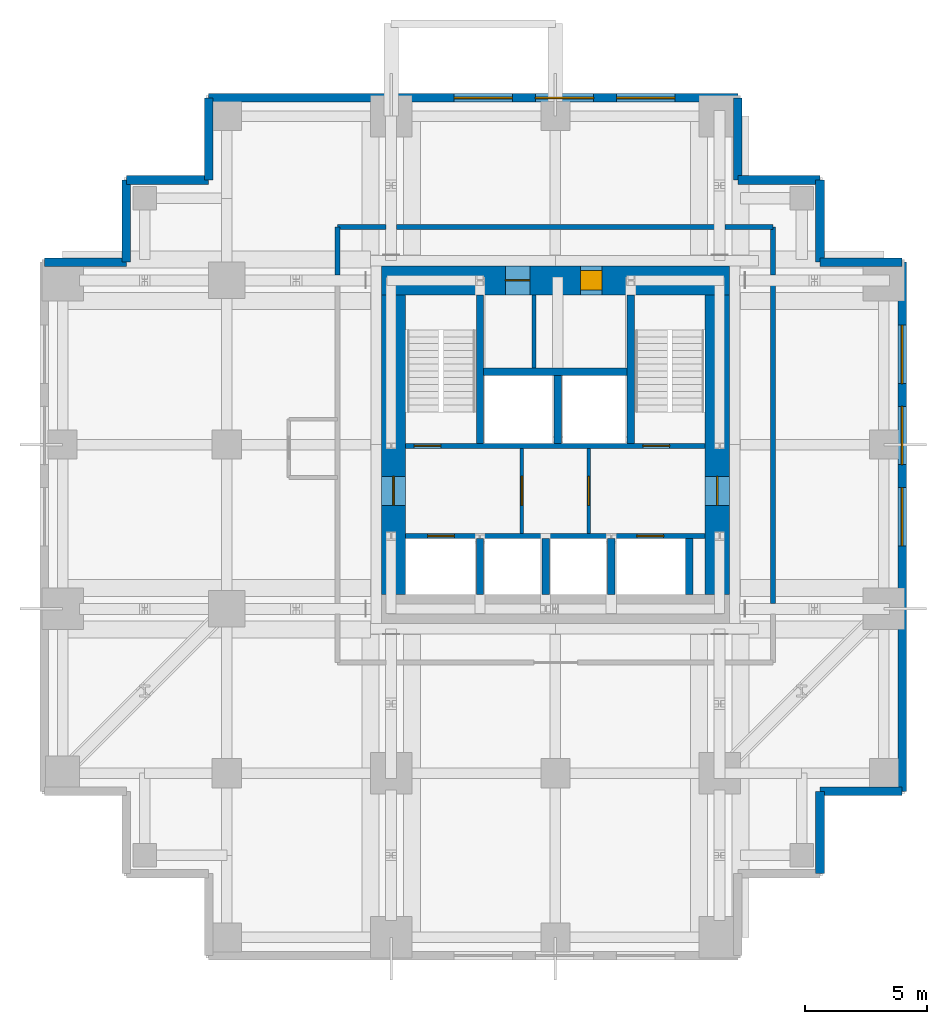
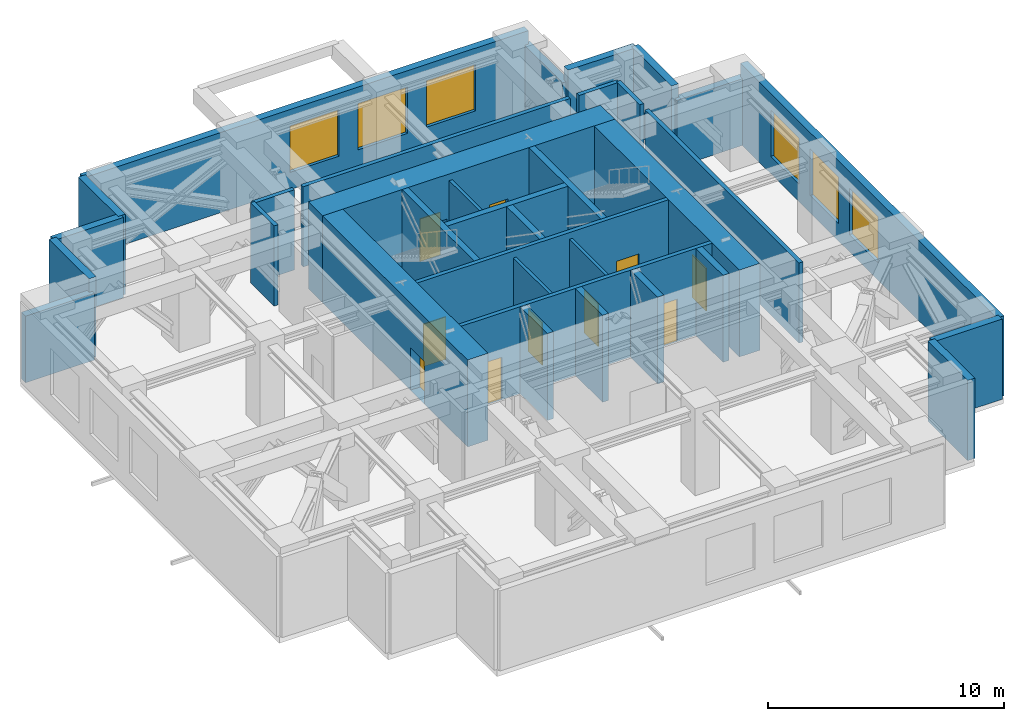
# One storey, part 4 of 6: 34 walls, 10 doors, 6 windows, 16 openings.
"""IFC4 building model written with IfcOpenShell, lengths in metres."""

from ifc_helpers import new_model, si_unit, direction, frame, frame_2d, origin, place, context, subcontext, project, spatial, rectangle, extrude, material, layer, layer_set, type_object, element, fill, save


model = new_model("IFC4")

# Units and contexts
model_context = context("Model", 3, precision=1e-05, world=origin(), true_north=direction((0.0, 1.0)))
body_context = subcontext(model_context, "Body", "Model", "MODEL_VIEW")
ifc_project = project(units=[si_unit("LENGTHUNIT", "METRE"), si_unit("AREAUNIT", "SQUARE_METRE"), si_unit("VOLUMEUNIT", "CUBIC_METRE"), si_unit("PLANEANGLEUNIT", "RADIAN"), si_unit("MASSUNIT", "GRAM", prefix="KILO")], contexts=[model_context])

# Site, building, storey
site_placement = place(None, origin())
site = spatial("IfcSite", under=ifc_project, at=site_placement, CompositionType="ELEMENT")
building_placement = place(site_placement, origin())
building = spatial("IfcBuilding", under=site, at=building_placement, Name="Nyansa Garden Tower", CompositionType="ELEMENT")
storey_placement = place(building_placement, frame((0.0, 0.0, 199.800048828125)))
storey = spatial("IfcBuildingStorey", under=building, at=storey_placement, Name="L54", CompositionType="ELEMENT", Elevation=199.800048828125)

# Wall, openings, doors
ifc_material_1 = material(Name="Concrete C70/85", Category="concrete")
ifc_layer_1 = layer(ifc_material_1, 0.199951171875)
ifc_layer_set_1 = layer_set([ifc_layer_1], Name="Core inner wall CI200")
wall_type_1 = type_object("IfcWallType", Name="Core inner wall CI200", PredefinedType="SHEAR", material=ifc_layer_set_1)
wall_1_placement = place(storey_placement, frame((14.10009765625, 16.5, 0.0), z_axis=(0.0, 0.0, 1.0), x_axis=(1.0, 0.0, 0.0)))
wall_1 = element("IfcWall", 1, at=wall_1_placement, inside=storey, type_object=wall_type_1, Name="Core inner wall L54", PredefinedType="SHEAR", context=body_context, shape_type="SweptSolid", body=[
    extrude(rectangle(XDim=12.2998046875, YDim=0.199951171875, at=frame_2d((6.14990234375, 0.0))), origin(), (0.0, 0.0, 1.0), 4.5),
])
opening_1_placement = place(wall_1_placement, frame((0.89990234375, 0.0, 0.0)))
opening_1 = element("IfcOpeningElement", 2, at=opening_1_placement, cuts=wall_1, Name="Opening LD-F", PredefinedType="OPENING", context=body_context, shape_type="SweptSolid", body=[
    extrude(rectangle(XDim=1.10009765625, YDim=2.199951171875, at=frame_2d((0.550048828125, 1.10009765625))), frame((0.0, 0.10986328125, 0.0), z_axis=(0.0, -1.0, 0.0), x_axis=(1.0, 0.0, 0.0)), (0.0, 0.0, 1.0), 0.219970703125),
])
opening_2_placement = place(wall_1_placement, frame((9.5, 0.0, 0.0)))
opening_2 = element("IfcOpeningElement", 3, at=opening_2_placement, cuts=wall_1, Name="Opening LD-F", PredefinedType="OPENING", context=body_context, shape_type="SweptSolid", body=[
    extrude(rectangle(XDim=1.10009765625, YDim=2.199951171875, at=frame_2d((0.550048828125, 1.10009765625))), frame((0.0, 0.10986328125, 0.0), z_axis=(0.0, -1.0, 0.0), x_axis=(1.0, 0.0, 0.0)), (0.0, 0.0, 1.0), 0.219970703125),
])
ifc_material_2 = material(Name="Stainless steel centre-opening landing door of the firefighting lift, EN 81-72, E 120", Category="steel")
door_type_1 = type_object("IfcDoorType", Name="Lift landing door LD-F 1100x2200", OperationType="DOUBLE_DOOR_SLIDING", PredefinedType="DOOR", material=ifc_material_2)
door_1_placement = place(opening_1_placement, origin())
door_1 = element("IfcDoor", 4, at=door_1_placement, inside=storey, type_object=door_type_1, Name="Landing door FF1", OperationType="DOUBLE_DOOR_SLIDING", OverallHeight=2.199951171875, OverallWidth=1.10009765625, PredefinedType="DOOR", context=body_context, shape_type="SweptSolid", body=[
    extrude(rectangle(XDim=1.10009765625, YDim=2.199951171875, at=frame_2d((0.550048828125, 1.10009765625))), frame((0.0, 0.02490234375, 0.0), z_axis=(0.0, -1.0, 0.0), x_axis=(1.0, 0.0, 0.0)), (0.0, 0.0, 1.0), 0.050048828125),
])
fill(opening_1, door_1)
door_2_placement = place(opening_2_placement, origin())
door_2 = element("IfcDoor", 5, at=door_2_placement, inside=storey, type_object=door_type_1, Name="Landing door FF2", OperationType="DOUBLE_DOOR_SLIDING", OverallHeight=2.199951171875, OverallWidth=1.10009765625, PredefinedType="DOOR", context=body_context, shape_type="SweptSolid", body=[
    extrude(rectangle(XDim=1.10009765625, YDim=2.199951171875, at=frame_2d((0.550048828125, 1.10009765625))), frame((0.0, 0.02490234375, 0.0), z_axis=(0.0, -1.0, 0.0), x_axis=(1.0, 0.0, 0.0)), (0.0, 0.0, 1.0), 0.050048828125),
])
fill(opening_2, door_2)

wall_2_placement = place(storey_placement, frame((14.10009765625, 20.199951171875, 0.0), z_axis=(0.0, 0.0, 1.0), x_axis=(1.0, 0.0, 0.0)))
wall_2 = element("IfcWall", 6, at=wall_2_placement, inside=storey, type_object=wall_type_1, Name="Core inner wall L54", PredefinedType="SHEAR", context=body_context, shape_type="SweptSolid", body=[
    extrude(rectangle(XDim=12.2998046875, YDim=0.199951171875, at=frame_2d((6.14990234375, 0.0))), origin(), (0.0, 0.0, 1.0), 4.5),
])
opening_3_placement = place(wall_2_placement, frame((0.35009765625, 0.0, 0.0)))
opening_3 = element("IfcOpeningElement", 7, at=opening_3_placement, cuts=wall_2, Name="Opening D05", PredefinedType="OPENING", context=body_context, shape_type="SweptSolid", body=[
    extrude(rectangle(XDim=1.10009765625, YDim=2.199951171875, at=frame_2d((0.550048828125, 1.10009765625))), frame((0.0, 0.10986328125, 0.0), z_axis=(0.0, -1.0, 0.0), x_axis=(1.0, 0.0, 0.0)), (0.0, 0.0, 1.0), 0.219970703125),
])
opening_4_placement = place(wall_2_placement, frame((9.75, 0.0, 0.0)))
opening_4 = element("IfcOpeningElement", 8, at=opening_4_placement, cuts=wall_2, Name="Opening D05", PredefinedType="OPENING", context=body_context, shape_type="SweptSolid", body=[
    extrude(rectangle(XDim=1.10009765625, YDim=2.199951171875, at=frame_2d((0.550048828125, 1.10009765625))), frame((0.0, 0.10986328125, 0.0), z_axis=(0.0, -1.0, 0.0), x_axis=(1.0, 0.0, 0.0)), (0.0, 0.0, 1.0), 0.219970703125),
])
ifc_material_3 = material(Name="Steel door, 120 minute fire resisting", Category="steel")
door_type_2 = type_object("IfcDoorType", Name="Stair door D05 1100x2200", OperationType="SINGLE_SWING_LEFT", PredefinedType="DOOR", material=ifc_material_3)
door_3_placement = place(opening_3_placement, origin())
door_3 = element("IfcDoor", 9, at=door_3_placement, inside=storey, type_object=door_type_2, Name="Stair S1 door", OperationType="SINGLE_SWING_LEFT", OverallHeight=2.199951171875, OverallWidth=1.10009765625, PredefinedType="DOOR", context=body_context, shape_type="SweptSolid", body=[
    extrude(rectangle(XDim=1.10009765625, YDim=2.199951171875, at=frame_2d((0.550048828125, 1.10009765625))), frame((0.0, 0.02490234375, 0.0), z_axis=(0.0, -1.0, 0.0), x_axis=(1.0, 0.0, 0.0)), (0.0, 0.0, 1.0), 0.050048828125),
])
fill(opening_3, door_3)
door_4_placement = place(opening_4_placement, origin())
door_4 = element("IfcDoor", 10, at=door_4_placement, inside=storey, type_object=door_type_2, Name="Stair S2 door", OperationType="SINGLE_SWING_LEFT", OverallHeight=2.199951171875, OverallWidth=1.10009765625, PredefinedType="DOOR", context=body_context, shape_type="SweptSolid", body=[
    extrude(rectangle(XDim=1.10009765625, YDim=2.199951171875, at=frame_2d((0.550048828125, 1.10009765625))), frame((0.0, 0.02490234375, 0.0), z_axis=(0.0, -1.0, 0.0), x_axis=(1.0, 0.0, 0.0)), (0.0, 0.0, 1.0), 0.050048828125),
])
fill(opening_4, door_4)

# Walls
ifc_material_4 = material(Name="Concrete C70/85", Category="concrete")
ifc_layer_2 = layer(ifc_material_4, 0.300048828125)
ifc_layer_set_2 = layer_set([ifc_layer_2], Name="Core inner wall CI300")
wall_type_2 = type_object("IfcWallType", Name="Core inner wall CI300", PredefinedType="SHEAR", material=ifc_layer_set_2)
for number, where, z_axis, x_axis, name in (
    (11, (17.14990234375, 20.300048828125, 0.0), (0.0, 0.0, 1.0), (0.0, 1.0, 0.0), "Core inner wall L54"),
    (12, (23.35009765625, 20.300048828125, 0.0), (0.0, 0.0, 1.0), (0.0, 1.0, 0.0), "Core inner wall L54"),
):
    element("IfcWall", number, at=place(storey_placement, frame(where, z_axis=z_axis, x_axis=x_axis)), inside=storey, type_object=wall_type_2, Name=name, PredefinedType="SHEAR", context=body_context, shape_type="SweptSolid", body=[
        extrude(rectangle(XDim=6.099853515625, YDim=0.300048828125, at=frame_2d((3.0498046875, 0.0))), origin(), (0.0, 0.0, 1.0), 4.5),
    ])
wall_3_placement = place(storey_placement, frame((20.35009765625, 20.300048828125, 0.0), z_axis=(0.0, 0.0, 1.0), x_axis=(0.0, 1.0, 0.0)))
element("IfcWall", 13, at=wall_3_placement, inside=storey, type_object=wall_type_2, Name="Core inner wall L54", PredefinedType="SHEAR", context=body_context, shape_type="SweptSolid", body=[
    extrude(rectangle(XDim=2.800048828125, YDim=0.300048828125, at=frame_2d((1.39990234375, 0.0))), origin(), (0.0, 0.0, 1.0), 4.5),
])
wall_4_placement = place(storey_placement, frame((17.300048828125, 23.25, 0.0), z_axis=(0.0, 0.0, 1.0), x_axis=(1.0, 0.0, 0.0)))
element("IfcWall", 14, at=wall_4_placement, inside=storey, type_object=wall_type_2, Name="Core inner wall L54", PredefinedType="SHEAR", context=body_context, shape_type="SweptSolid", body=[
    extrude(rectangle(XDim=5.89990234375, YDim=0.300048828125, at=frame_2d((2.949951171875, 0.0))), origin(), (0.0, 0.0, 1.0), 4.5),
])
for number, where, z_axis, x_axis, name in (
    (15, (17.14990234375, 14.10009765625, 0.0), (0.0, 0.0, 1.0), (0.0, 1.0, 0.0), "Core inner wall L54"),
    (16, (19.85009765625, 14.10009765625, 0.0), (0.0, 0.0, 1.0), (0.0, 1.0, 0.0), "Core inner wall L54"),
    (17, (22.550048828125, 14.10009765625, 0.0), (0.0, 0.0, 1.0), (0.0, 1.0, 0.0), "Core inner wall L54"),
    (18, (25.75, 14.10009765625, 0.0), (0.0, 0.0, 1.0), (0.0, 1.0, 0.0), "Core inner wall L54"),
):
    element("IfcWall", number, at=place(storey_placement, frame(where, z_axis=z_axis, x_axis=x_axis)), inside=storey, type_object=wall_type_2, Name=name, PredefinedType="SHEAR", context=body_context, shape_type="SweptSolid", body=[
        extrude(rectangle(XDim=2.2998046875, YDim=0.300048828125, at=frame_2d((1.14990234375, 0.0))), origin(), (0.0, 0.0, 1.0), 4.5),
    ])

# Wall, opening, door
ifc_material_5 = material(Name="Concrete C80/95", Category="concrete")
ifc_layer_3 = layer(ifc_material_5, 1.0)
ifc_layer_set_3 = layer_set([ifc_layer_3], Name="Core wall CW1000")
wall_type_3 = type_object("IfcWallType", Name="Core wall CW1000", PredefinedType="SHEAR", material=ifc_layer_set_3)
wall_5_placement = place(storey_placement, frame((26.89990234375, 14.10009765625, 0.0), z_axis=(0.0, 0.0, 1.0), x_axis=(0.0, 1.0, 0.0)))
wall_5 = element("IfcWall", 19, at=wall_5_placement, inside=storey, type_object=wall_type_3, Name="Core wall E L54", PredefinedType="SHEAR", context=body_context, shape_type="SweptSolid", body=[
    extrude(rectangle(XDim=12.2998046875, YDim=1.0, at=frame_2d((6.14990234375, 0.0))), origin(), (0.0, 0.0, 1.0), 4.5),
])
opening_5_placement = place(wall_5_placement, frame((3.64990234375, 0.0, 0.0)))
opening_5 = element("IfcOpeningElement", 20, at=opening_5_placement, cuts=wall_5, Name="Opening D06", PredefinedType="OPENING", context=body_context, shape_type="SweptSolid", body=[
    extrude(rectangle(XDim=1.199951171875, YDim=2.199951171875, at=frame_2d((0.60009765625, 1.10009765625))), frame((0.0, 0.510009765625, 0.0), z_axis=(0.0, -1.0, 0.0), x_axis=(1.0, 0.0, 0.0)), (0.0, 0.0, 1.0), 1.02001953125),
])
ifc_material_6 = material(Name="Steel door, 120 minute fire resisting", Category="steel")
door_type_3 = type_object("IfcDoorType", Name="Lobby door D06 1200x2200", OperationType="DOUBLE_DOOR_SINGLE_SWING", PredefinedType="DOOR", material=ifc_material_6)
door_5_placement = place(opening_5_placement, origin())
door_5 = element("IfcDoor", 21, at=door_5_placement, inside=storey, type_object=door_type_3, Name="Lift lobby door east", OperationType="DOUBLE_DOOR_SINGLE_SWING", OverallHeight=2.199951171875, OverallWidth=1.199951171875, PredefinedType="DOOR", context=body_context, shape_type="SweptSolid", body=[
    extrude(rectangle(XDim=1.199951171875, YDim=2.199951171875, at=frame_2d((0.60009765625, 1.10009765625))), frame((0.0, 0.02490234375, 0.0), z_axis=(0.0, -1.0, 0.0), x_axis=(1.0, 0.0, 0.0)), (0.0, 0.0, 1.0), 0.050048828125),
])
fill(opening_5, door_5)

wall_6_placement = place(storey_placement, frame((13.60009765625, 26.39990234375, 0.0), z_axis=(0.0, 0.0, 1.0), x_axis=(0.0, -1.0, 0.0)))
wall_6 = element("IfcWall", 22, at=wall_6_placement, inside=storey, type_object=wall_type_3, Name="Core wall W L54", PredefinedType="SHEAR", context=body_context, shape_type="SweptSolid", body=[
    extrude(rectangle(XDim=12.2998046875, YDim=1.0, at=frame_2d((6.14990234375, 0.0))), origin(), (0.0, 0.0, 1.0), 4.5),
])
opening_6_placement = place(wall_6_placement, frame((7.449951171875, 0.0, 0.0)))
opening_6 = element("IfcOpeningElement", 23, at=opening_6_placement, cuts=wall_6, Name="Opening D06", PredefinedType="OPENING", context=body_context, shape_type="SweptSolid", body=[
    extrude(rectangle(XDim=1.199951171875, YDim=2.199951171875, at=frame_2d((0.60009765625, 1.10009765625))), frame((0.0, 0.510009765625, 0.0), z_axis=(0.0, -1.0, 0.0), x_axis=(1.0, 0.0, 0.0)), (0.0, 0.0, 1.0), 1.02001953125),
])
door_6_placement = place(opening_6_placement, origin())
door_6 = element("IfcDoor", 24, at=door_6_placement, inside=storey, type_object=door_type_3, Name="Lift lobby door west", OperationType="DOUBLE_DOOR_SINGLE_SWING", OverallHeight=2.199951171875, OverallWidth=1.199951171875, PredefinedType="DOOR", context=body_context, shape_type="SweptSolid", body=[
    extrude(rectangle(XDim=1.199951171875, YDim=2.199951171875, at=frame_2d((0.60009765625, 1.10009765625))), frame((0.0, 0.02490234375, 0.0), z_axis=(0.0, -1.0, 0.0), x_axis=(1.0, 0.0, 0.0)), (0.0, 0.0, 1.0), 0.050048828125),
])
fill(opening_6, door_6)

# Wall, openings, doors
ifc_material_7 = material(Name="Concrete C80/95", Category="concrete")
ifc_layer_4 = layer(ifc_material_7, 1.199951171875)
ifc_layer_set_4 = layer_set([ifc_layer_4], Name="Core wall CW1200")
wall_type_4 = type_object("IfcWallType", Name="Core wall CW1200", PredefinedType="SHEAR", material=ifc_layer_set_4)
wall_7_placement = place(storey_placement, frame((27.39990234375, 27.0, 0.0), z_axis=(0.0, 0.0, 1.0), x_axis=(-1.0, 0.0, 0.0)))
wall_7 = element("IfcWall", 25, at=wall_7_placement, inside=storey, type_object=wall_type_4, Name="Core wall N L54", PredefinedType="SHEAR", context=body_context, shape_type="SweptSolid", body=[
    extrude(rectangle(XDim=14.2998046875, YDim=1.199951171875, at=frame_2d((7.14990234375, 0.0))), origin(), (0.0, 0.0, 1.0), 4.5),
])
opening_7_placement = place(wall_7_placement, frame((5.22509765625, 0.0, 0.0)))
opening_7 = element("IfcOpeningElement", 26, at=opening_7_placement, cuts=wall_7, Name="Opening D15", PredefinedType="OPENING", context=body_context, shape_type="SweptSolid", body=[
    extrude(rectangle(XDim=0.89990234375, YDim=2.199951171875, at=frame_2d((0.449951171875, 1.10009765625))), frame((0.0, 0.60986328125, 0.0), z_axis=(0.0, -1.0, 0.0), x_axis=(1.0, 0.0, 0.0)), (0.0, 0.0, 1.0), 1.219970703125),
])
opening_8_placement = place(wall_7_placement, frame((8.199951171875, 0.0, 0.0)))
opening_8 = element("IfcOpeningElement", 27, at=opening_8_placement, cuts=wall_7, Name="Opening D07", PredefinedType="OPENING", context=body_context, shape_type="SweptSolid", body=[
    extrude(rectangle(XDim=1.0, YDim=2.199951171875, at=frame_2d((0.5, 1.10009765625))), frame((0.0, 0.60986328125, 0.0), z_axis=(0.0, -1.0, 0.0), x_axis=(1.0, 0.0, 0.0)), (0.0, 0.0, 1.0), 1.219970703125),
])
ifc_material_8 = material(Name="Timber flush door, 60 minute fire resisting, self-closing", Category="wood")
door_type_4 = type_object("IfcDoorType", Name="Core room door D15 900x2200", OperationType="SINGLE_SWING_LEFT", PredefinedType="DOOR", material=ifc_material_8)
door_7_placement = place(opening_7_placement, origin())
door_7 = element("IfcDoor", 28, at=door_7_placement, inside=storey, type_object=door_type_4, Name="Core room door", OperationType="SINGLE_SWING_LEFT", OverallHeight=2.199951171875, OverallWidth=0.89990234375, PredefinedType="DOOR", context=body_context, shape_type="SweptSolid", body=[
    extrude(rectangle(XDim=0.89990234375, YDim=2.199951171875, at=frame_2d((0.449951171875, 1.10009765625))), frame((0.0, 0.39990234375, 0.0), z_axis=(0.0, -1.0, 0.0), x_axis=(1.0, 0.0, 0.0)), (0.0, 0.0, 1.0), 0.800048828125),
])
fill(opening_7, door_7)
ifc_material_9 = material(Name="Steel door, 120 minute fire resisting", Category="steel")
door_type_5 = type_object("IfcDoorType", Name="Riser door D07 1000x2200", OperationType="SINGLE_SWING_LEFT", PredefinedType="DOOR", material=ifc_material_9)
door_8_placement = place(opening_8_placement, origin())
door_8 = element("IfcDoor", 29, at=door_8_placement, inside=storey, type_object=door_type_5, Name="Riser and refuse room door", OperationType="SINGLE_SWING_LEFT", OverallHeight=2.199951171875, OverallWidth=1.0, PredefinedType="DOOR", context=body_context, shape_type="SweptSolid", body=[
    extrude(rectangle(XDim=1.0, YDim=2.199951171875, at=frame_2d((0.5, 1.10009765625))), frame((0.0, 0.02490234375, 0.0), z_axis=(0.0, -1.0, 0.0), x_axis=(1.0, 0.0, 0.0)), (0.0, 0.0, 1.0), 0.050048828125),
])
fill(opening_8, door_8)

# Walls
ifc_material_10 = material(Name="Concrete blockwork, plastered, 60 minute fire resisting", Category="masonry")
ifc_layer_5 = layer(ifc_material_10, 0.199951171875)
ifc_layer_set_5 = layer_set([ifc_layer_5], Name="Corridor wall FW200")
wall_type_5 = type_object("IfcWallType", Name="Corridor wall FW200", PredefinedType="PARTITIONING", material=ifc_layer_set_5)
for number, where, z_axis, x_axis, name in (
    (30, (11.300048828125, 27.215087890625, 0.0), (0.0, 0.0, 1.0), (0.0, 1.0, 0.0), "Corridor wall"),
    (31, (11.300048828125, 29.199951171875, 0.0), (0.0, 0.0, 1.0), (1.0, 0.0, 0.0), "Corridor wall"),
):
    element("IfcWall", number, at=place(storey_placement, frame(where, z_axis=z_axis, x_axis=x_axis)), inside=storey, type_object=wall_type_5, Name=name, PredefinedType="PARTITIONING", context=body_context, shape_type="SweptSolid", body=[
        extrude(rectangle(XDim=1.98486328125, YDim=0.199951171875, at=frame_2d((0.992431640625, 0.0))), origin(), (0.0, 0.0, 1.0), 4.14990234375),
    ])
wall_8_placement = place(storey_placement, frame((13.715087890625, 29.199951171875, 0.0), z_axis=(0.0, 0.0, 1.0), x_axis=(1.0, 0.0, 0.0)))
element("IfcWall", 32, at=wall_8_placement, inside=storey, type_object=wall_type_5, Name="Corridor wall", PredefinedType="PARTITIONING", context=body_context, shape_type="SweptSolid", body=[
    extrude(rectangle(XDim=13.06982421875, YDim=0.199951171875, at=frame_2d((6.534912109375, 0.0))), origin(), (0.0, 0.0, 1.0), 4.14990234375),
])
wall_9_placement = place(storey_placement, frame((27.215087890625, 29.199951171875, 0.0), z_axis=(0.0, 0.0, 1.0), x_axis=(1.0, 0.0, 0.0)))
element("IfcWall", 33, at=wall_9_placement, inside=storey, type_object=wall_type_5, Name="Corridor wall", PredefinedType="PARTITIONING", context=body_context, shape_type="SweptSolid", body=[
    extrude(rectangle(XDim=1.98486328125, YDim=0.199951171875, at=frame_2d((0.992431640625, 0.0))), origin(), (0.0, 0.0, 1.0), 4.14990234375),
])
wall_10_placement = place(storey_placement, frame((29.199951171875, 13.715087890625, 0.0), z_axis=(0.0, 0.0, 1.0), x_axis=(0.0, 1.0, 0.0)))
element("IfcWall", 34, at=wall_10_placement, inside=storey, type_object=wall_type_5, Name="Corridor wall", PredefinedType="PARTITIONING", context=body_context, shape_type="SweptSolid", body=[
    extrude(rectangle(XDim=13.06982421875, YDim=0.199951171875, at=frame_2d((6.534912109375, 0.0))), origin(), (0.0, 0.0, 1.0), 4.14990234375),
])
wall_11_placement = place(storey_placement, frame((29.199951171875, 27.215087890625, 0.0), z_axis=(0.0, 0.0, 1.0), x_axis=(0.0, 1.0, 0.0)))
element("IfcWall", 35, at=wall_11_placement, inside=storey, type_object=wall_type_5, Name="Corridor wall", PredefinedType="PARTITIONING", context=body_context, shape_type="SweptSolid", body=[
    extrude(rectangle(XDim=1.98486328125, YDim=0.199951171875, at=frame_2d((0.992431640625, 0.0))), origin(), (0.0, 0.0, 1.0), 4.14990234375),
])

# Wall, opening, door
ifc_material_11 = material(Name="Blockwork, plastered both sides", Category="masonry")
ifc_layer_6 = layer(ifc_material_11, 0.14990234375)
ifc_layer_set_6 = layer_set([ifc_layer_6], Name="Partition PW150")
wall_type_6 = type_object("IfcWallType", Name="Partition PW150", PredefinedType="PARTITIONING", material=ifc_layer_set_6)
wall_12_placement = place(storey_placement, frame((18.875, 16.60009765625, 0.0), z_axis=(0.0, 0.0, 1.0), x_axis=(0.0, 1.0, 0.0)))
wall_12 = element("IfcWall", 36, at=wall_12_placement, inside=storey, type_object=wall_type_6, Name="Partition", PredefinedType="PARTITIONING", context=body_context, shape_type="SweptSolid", body=[
    extrude(rectangle(XDim=3.5, YDim=0.14990234375, at=frame_2d((1.75, 0.0))), origin(), (0.0, 0.0, 1.0), 4.14990234375),
])
opening_9_placement = place(wall_12_placement, frame((1.14990234375, 0.0, 0.0)))
opening_9 = element("IfcOpeningElement", 37, at=opening_9_placement, cuts=wall_12, Name="Opening D06", PredefinedType="OPENING", context=body_context, shape_type="SweptSolid", body=[
    extrude(rectangle(XDim=1.199951171875, YDim=2.199951171875, at=frame_2d((0.60009765625, 1.10009765625))), frame((0.0, 0.0849609375, 0.0), z_axis=(0.0, -1.0, 0.0), x_axis=(1.0, 0.0, 0.0)), (0.0, 0.0, 1.0), 0.169921875),
])
door_9_placement = place(opening_9_placement, origin())
door_9 = element("IfcDoor", 38, at=door_9_placement, inside=storey, type_object=door_type_3, Name="Passenger lift lobby door", OperationType="DOUBLE_DOOR_SINGLE_SWING", OverallHeight=2.199951171875, OverallWidth=1.199951171875, PredefinedType="DOOR", context=body_context, shape_type="SweptSolid", body=[
    extrude(rectangle(XDim=1.199951171875, YDim=2.199951171875, at=frame_2d((0.60009765625, 1.10009765625))), frame((0.0, 0.02490234375, 0.0), z_axis=(0.0, -1.0, 0.0), x_axis=(1.0, 0.0, 0.0)), (0.0, 0.0, 1.0), 0.050048828125),
])
fill(opening_9, door_9)

wall_13_placement = place(storey_placement, frame((21.625, 16.60009765625, 0.0), z_axis=(0.0, 0.0, 1.0), x_axis=(0.0, 1.0, 0.0)))
wall_13 = element("IfcWall", 39, at=wall_13_placement, inside=storey, type_object=wall_type_6, Name="Partition", PredefinedType="PARTITIONING", context=body_context, shape_type="SweptSolid", body=[
    extrude(rectangle(XDim=3.5, YDim=0.14990234375, at=frame_2d((1.75, 0.0))), origin(), (0.0, 0.0, 1.0), 4.14990234375),
])
opening_10_placement = place(wall_13_placement, frame((1.14990234375, 0.0, 0.0)))
opening_10 = element("IfcOpeningElement", 40, at=opening_10_placement, cuts=wall_13, Name="Opening D06", PredefinedType="OPENING", context=body_context, shape_type="SweptSolid", body=[
    extrude(rectangle(XDim=1.199951171875, YDim=2.199951171875, at=frame_2d((0.60009765625, 1.10009765625))), frame((0.0, 0.0849609375, 0.0), z_axis=(0.0, -1.0, 0.0), x_axis=(1.0, 0.0, 0.0)), (0.0, 0.0, 1.0), 0.169921875),
])
door_10_placement = place(opening_10_placement, origin())
door_10 = element("IfcDoor", 41, at=door_10_placement, inside=storey, type_object=door_type_3, Name="Passenger lift lobby door", OperationType="DOUBLE_DOOR_SINGLE_SWING", OverallHeight=2.199951171875, OverallWidth=1.199951171875, PredefinedType="DOOR", context=body_context, shape_type="SweptSolid", body=[
    extrude(rectangle(XDim=1.199951171875, YDim=2.199951171875, at=frame_2d((0.60009765625, 1.10009765625))), frame((0.0, 0.02490234375, 0.0), z_axis=(0.0, -1.0, 0.0), x_axis=(1.0, 0.0, 0.0)), (0.0, 0.0, 1.0), 0.050048828125),
])
fill(opening_10, door_10)

# Wall
wall_14_placement = place(storey_placement, frame((19.375, 23.39990234375, 0.0), z_axis=(0.0, 0.0, 1.0), x_axis=(0.0, 1.0, 0.0)))
element("IfcWall", 42, at=wall_14_placement, inside=storey, type_object=wall_type_6, Name="Partition", PredefinedType="PARTITIONING", context=body_context, shape_type="SweptSolid", body=[
    extrude(rectangle(XDim=3.0, YDim=0.14990234375, at=frame_2d((1.5, 0.0))), origin(), (0.0, 0.0, 1.0), 4.14990234375),
])

# Wall, openings, windows
ifc_material_12 = material(Name="Turquoise and ultramarine glazed tile on concrete blockwork", Category="masonry")
ifc_layer_7 = layer(ifc_material_12, 0.35009765625)
ifc_layer_set_7 = layer_set([ifc_layer_7], Name="Tiled plant wall PW350")
wall_type_7 = type_object("IfcWallType", Name="Tiled plant wall PW350", PredefinedType="SOLIDWALL", material=ifc_layer_set_7)
wall_15_placement = place(storey_placement, frame((34.5, 6.0, 0.0), z_axis=(0.0, 0.0, 1.0), x_axis=(0.0, 1.0, 0.0)))
wall_15 = element("IfcWall", 43, at=wall_15_placement, inside=storey, type_object=wall_type_7, Name="Tiled plant wall L54", PredefinedType="SOLIDWALL", context=body_context, shape_type="SweptSolid", body=[
    extrude(rectangle(XDim=21.75, YDim=0.35009765625, at=frame_2d((10.875, 0.0))), origin(), (0.0, 0.0, 1.0), 4.14990234375),
])
opening_11_placement = place(wall_15_placement, frame((10.08740234375, 0.0, 0.89990234375)))
opening_11 = element("IfcOpeningElement", 44, at=opening_11_placement, cuts=wall_15, Name="Opening W3", PredefinedType="OPENING", context=body_context, shape_type="SweptSolid", body=[
    extrude(rectangle(XDim=2.39990234375, YDim=2.39990234375, at=frame_2d((1.199951171875, 1.199951171875))), frame((0.0, 0.18505859375, 0.0), z_axis=(0.0, -1.0, 0.0), x_axis=(1.0, 0.0, 0.0)), (0.0, 0.0, 1.0), 0.3701171875),
])
opening_12_placement = place(wall_15_placement, frame((13.425048828125, 0.0, 0.89990234375)))
opening_12 = element("IfcOpeningElement", 45, at=opening_12_placement, cuts=wall_15, Name="Opening W3", PredefinedType="OPENING", context=body_context, shape_type="SweptSolid", body=[
    extrude(rectangle(XDim=2.39990234375, YDim=2.39990234375, at=frame_2d((1.199951171875, 1.199951171875))), frame((0.0, 0.18505859375, 0.0), z_axis=(0.0, -1.0, 0.0), x_axis=(1.0, 0.0, 0.0)), (0.0, 0.0, 1.0), 0.3701171875),
])
opening_13_placement = place(wall_15_placement, frame((16.762451171875, 0.0, 0.89990234375)))
opening_13 = element("IfcOpeningElement", 46, at=opening_13_placement, cuts=wall_15, Name="Opening W3", PredefinedType="OPENING", context=body_context, shape_type="SweptSolid", body=[
    extrude(rectangle(XDim=2.39990234375, YDim=2.39990234375, at=frame_2d((1.199951171875, 1.199951171875))), frame((0.0, 0.18505859375, 0.0), z_axis=(0.0, -1.0, 0.0), x_axis=(1.0, 0.0, 0.0)), (0.0, 0.0, 1.0), 0.3701171875),
])
ifc_material_13 = material(Name="Black aluminium weather louvre", Category="aluminium")
window_type = type_object("IfcWindowType", Name="Louvre W3 2400x2400", PartitioningType="SINGLE_PANEL", PredefinedType="WINDOW", material=ifc_material_13)
window_1_placement = place(opening_11_placement, origin())
window_1 = element("IfcWindow", 47, at=window_1_placement, inside=storey, type_object=window_type, Name="Louvre L54", OverallHeight=2.39990234375, OverallWidth=2.39990234375, PartitioningType="SINGLE_PANEL", PredefinedType="WINDOW", context=body_context, shape_type="SweptSolid", body=[
    extrude(rectangle(XDim=2.39990234375, YDim=2.39990234375, at=frame_2d((1.199951171875, 1.199951171875))), frame((0.0, 0.030029296875, 0.0), z_axis=(0.0, -1.0, 0.0), x_axis=(1.0, 0.0, 0.0)), (0.0, 0.0, 1.0), 0.06005859375),
])
fill(opening_11, window_1)
window_2_placement = place(opening_12_placement, origin())
window_2 = element("IfcWindow", 48, at=window_2_placement, inside=storey, type_object=window_type, Name="Louvre L54", OverallHeight=2.39990234375, OverallWidth=2.39990234375, PartitioningType="SINGLE_PANEL", PredefinedType="WINDOW", context=body_context, shape_type="SweptSolid", body=[
    extrude(rectangle(XDim=2.39990234375, YDim=2.39990234375, at=frame_2d((1.199951171875, 1.199951171875))), frame((0.0, 0.030029296875, 0.0), z_axis=(0.0, -1.0, 0.0), x_axis=(1.0, 0.0, 0.0)), (0.0, 0.0, 1.0), 0.06005859375),
])
fill(opening_12, window_2)
window_3_placement = place(opening_13_placement, origin())
window_3 = element("IfcWindow", 49, at=window_3_placement, inside=storey, type_object=window_type, Name="Louvre L54", OverallHeight=2.39990234375, OverallWidth=2.39990234375, PartitioningType="SINGLE_PANEL", PredefinedType="WINDOW", context=body_context, shape_type="SweptSolid", body=[
    extrude(rectangle(XDim=2.39990234375, YDim=2.39990234375, at=frame_2d((1.199951171875, 1.199951171875))), frame((0.0, 0.030029296875, 0.0), z_axis=(0.0, -1.0, 0.0), x_axis=(1.0, 0.0, 0.0)), (0.0, 0.0, 1.0), 0.06005859375),
])
fill(opening_13, window_3)

# Walls
wall_16_placement = place(storey_placement, frame((34.5, 27.75, 0.0), z_axis=(0.0, 0.0, 1.0), x_axis=(-1.0, 0.0, 0.0)))
element("IfcWall", 50, at=wall_16_placement, inside=storey, type_object=wall_type_7, Name="Tiled plant wall L54", PredefinedType="SOLIDWALL", context=body_context, shape_type="SweptSolid", body=[
    extrude(rectangle(XDim=3.375, YDim=0.35009765625, at=frame_2d((1.6875, 0.0))), origin(), (0.0, 0.0, 1.0), 3.449951171875),
])
for number, where, z_axis, x_axis, name in (
    (51, (31.125, 27.75, 0.0), (0.0, 0.0, 1.0), (0.0, 1.0, 0.0), "Tiled plant wall L54"),
    (52, (31.125, 31.125, 0.0), (0.0, 0.0, 1.0), (-1.0, 0.0, 0.0), "Tiled plant wall L54"),
):
    element("IfcWall", number, at=place(storey_placement, frame(where, z_axis=z_axis, x_axis=x_axis)), inside=storey, type_object=wall_type_7, Name=name, PredefinedType="SOLIDWALL", context=body_context, shape_type="SweptSolid", body=[
        extrude(rectangle(XDim=3.375, YDim=0.35009765625, at=frame_2d((1.6875, 0.0))), origin(), (0.0, 0.0, 1.0), 4.14990234375),
    ])
wall_17_placement = place(storey_placement, frame((27.75, 31.125, 0.0), z_axis=(0.0, 0.0, 1.0), x_axis=(0.0, 1.0, 0.0)))
element("IfcWall", 53, at=wall_17_placement, inside=storey, type_object=wall_type_7, Name="Tiled plant wall L54", PredefinedType="SOLIDWALL", context=body_context, shape_type="SweptSolid", body=[
    extrude(rectangle(XDim=3.375, YDim=0.35009765625, at=frame_2d((1.6875, 0.0))), origin(), (0.0, 0.0, 1.0), 3.449951171875),
])

# Wall, openings, windows
wall_18_placement = place(storey_placement, frame((27.75, 34.5, 0.0), z_axis=(0.0, 0.0, 1.0), x_axis=(-1.0, 0.0, 0.0)))
wall_18 = element("IfcWall", 54, at=wall_18_placement, inside=storey, type_object=wall_type_7, Name="Tiled plant wall L54", PredefinedType="SOLIDWALL", context=body_context, shape_type="SweptSolid", body=[
    extrude(rectangle(XDim=21.75, YDim=0.35009765625, at=frame_2d((10.875, 0.0))), origin(), (0.0, 0.0, 1.0), 4.14990234375),
])
opening_14_placement = place(wall_18_placement, frame((2.58740234375, 0.0, 0.89990234375)))
opening_14 = element("IfcOpeningElement", 55, at=opening_14_placement, cuts=wall_18, Name="Opening W3", PredefinedType="OPENING", context=body_context, shape_type="SweptSolid", body=[
    extrude(rectangle(XDim=2.39990234375, YDim=2.39990234375, at=frame_2d((1.199951171875, 1.199951171875))), frame((0.0, 0.18505859375, 0.0), z_axis=(0.0, -1.0, 0.0), x_axis=(1.0, 0.0, 0.0)), (0.0, 0.0, 1.0), 0.3701171875),
])
opening_15_placement = place(wall_18_placement, frame((5.925048828125, 0.0, 0.89990234375)))
opening_15 = element("IfcOpeningElement", 56, at=opening_15_placement, cuts=wall_18, Name="Opening W3", PredefinedType="OPENING", context=body_context, shape_type="SweptSolid", body=[
    extrude(rectangle(XDim=2.39990234375, YDim=2.39990234375, at=frame_2d((1.199951171875, 1.199951171875))), frame((0.0, 0.18505859375, 0.0), z_axis=(0.0, -1.0, 0.0), x_axis=(1.0, 0.0, 0.0)), (0.0, 0.0, 1.0), 0.3701171875),
])
opening_16_placement = place(wall_18_placement, frame((9.262451171875, 0.0, 0.89990234375)))
opening_16 = element("IfcOpeningElement", 57, at=opening_16_placement, cuts=wall_18, Name="Opening W3", PredefinedType="OPENING", context=body_context, shape_type="SweptSolid", body=[
    extrude(rectangle(XDim=2.39990234375, YDim=2.39990234375, at=frame_2d((1.199951171875, 1.199951171875))), frame((0.0, 0.18505859375, 0.0), z_axis=(0.0, -1.0, 0.0), x_axis=(1.0, 0.0, 0.0)), (0.0, 0.0, 1.0), 0.3701171875),
])
window_4_placement = place(opening_14_placement, origin())
window_4 = element("IfcWindow", 58, at=window_4_placement, inside=storey, type_object=window_type, Name="Louvre L54", OverallHeight=2.39990234375, OverallWidth=2.39990234375, PartitioningType="SINGLE_PANEL", PredefinedType="WINDOW", context=body_context, shape_type="SweptSolid", body=[
    extrude(rectangle(XDim=2.39990234375, YDim=2.39990234375, at=frame_2d((1.199951171875, 1.199951171875))), frame((0.0, 0.030029296875, 0.0), z_axis=(0.0, -1.0, 0.0), x_axis=(1.0, 0.0, 0.0)), (0.0, 0.0, 1.0), 0.06005859375),
])
fill(opening_14, window_4)
window_5_placement = place(opening_15_placement, origin())
window_5 = element("IfcWindow", 59, at=window_5_placement, inside=storey, type_object=window_type, Name="Louvre L54", OverallHeight=2.39990234375, OverallWidth=2.39990234375, PartitioningType="SINGLE_PANEL", PredefinedType="WINDOW", context=body_context, shape_type="SweptSolid", body=[
    extrude(rectangle(XDim=2.39990234375, YDim=2.39990234375, at=frame_2d((1.199951171875, 1.199951171875))), frame((0.0, 0.030029296875, 0.0), z_axis=(0.0, -1.0, 0.0), x_axis=(1.0, 0.0, 0.0)), (0.0, 0.0, 1.0), 0.06005859375),
])
fill(opening_15, window_5)
window_6_placement = place(opening_16_placement, origin())
window_6 = element("IfcWindow", 60, at=window_6_placement, inside=storey, type_object=window_type, Name="Louvre L54", OverallHeight=2.39990234375, OverallWidth=2.39990234375, PartitioningType="SINGLE_PANEL", PredefinedType="WINDOW", context=body_context, shape_type="SweptSolid", body=[
    extrude(rectangle(XDim=2.39990234375, YDim=2.39990234375, at=frame_2d((1.199951171875, 1.199951171875))), frame((0.0, 0.030029296875, 0.0), z_axis=(0.0, -1.0, 0.0), x_axis=(1.0, 0.0, 0.0)), (0.0, 0.0, 1.0), 0.06005859375),
])
fill(opening_16, window_6)

# Walls
for number, where, z_axis, x_axis, name in (
    (61, (6.0, 34.5, 0.0), (0.0, 0.0, 1.0), (0.0, -1.0, 0.0), "Tiled plant wall L54"),
    (62, (6.0, 31.125, 0.0), (0.0, 0.0, 1.0), (-1.0, 0.0, 0.0), "Tiled plant wall L54"),
    (63, (2.625, 31.125, 0.0), (0.0, 0.0, 1.0), (0.0, -1.0, 0.0), "Tiled plant wall L54"),
):
    element("IfcWall", number, at=place(storey_placement, frame(where, z_axis=z_axis, x_axis=x_axis)), inside=storey, type_object=wall_type_7, Name=name, PredefinedType="SOLIDWALL", context=body_context, shape_type="SweptSolid", body=[
        extrude(rectangle(XDim=3.375, YDim=0.35009765625, at=frame_2d((1.6875, 0.0))), origin(), (0.0, 0.0, 1.0), 4.14990234375),
    ])
wall_19_placement = place(storey_placement, frame((2.625, 27.75, 0.0), z_axis=(0.0, 0.0, 1.0), x_axis=(-1.0, 0.0, 0.0)))
element("IfcWall", 64, at=wall_19_placement, inside=storey, type_object=wall_type_7, Name="Tiled plant wall L54", PredefinedType="SOLIDWALL", context=body_context, shape_type="SweptSolid", body=[
    extrude(rectangle(XDim=3.375, YDim=0.35009765625, at=frame_2d((1.6875, 0.0))), origin(), (0.0, 0.0, 1.0), 3.449951171875),
])
for number, where, z_axis, x_axis, name in (
    (65, (31.125, 2.625, 0.0), (0.0, 0.0, 1.0), (0.0, 1.0, 0.0), "Tiled plant wall L54"),
    (66, (31.125, 6.0, 0.0), (0.0, 0.0, 1.0), (1.0, 0.0, 0.0), "Tiled plant wall L54"),
):
    element("IfcWall", number, at=place(storey_placement, frame(where, z_axis=z_axis, x_axis=x_axis)), inside=storey, type_object=wall_type_7, Name=name, PredefinedType="SOLIDWALL", context=body_context, shape_type="SweptSolid", body=[
        extrude(rectangle(XDim=3.375, YDim=0.35009765625, at=frame_2d((1.6875, 0.0))), origin(), (0.0, 0.0, 1.0), 4.14990234375),
    ])

save(model, "model.ifc")
